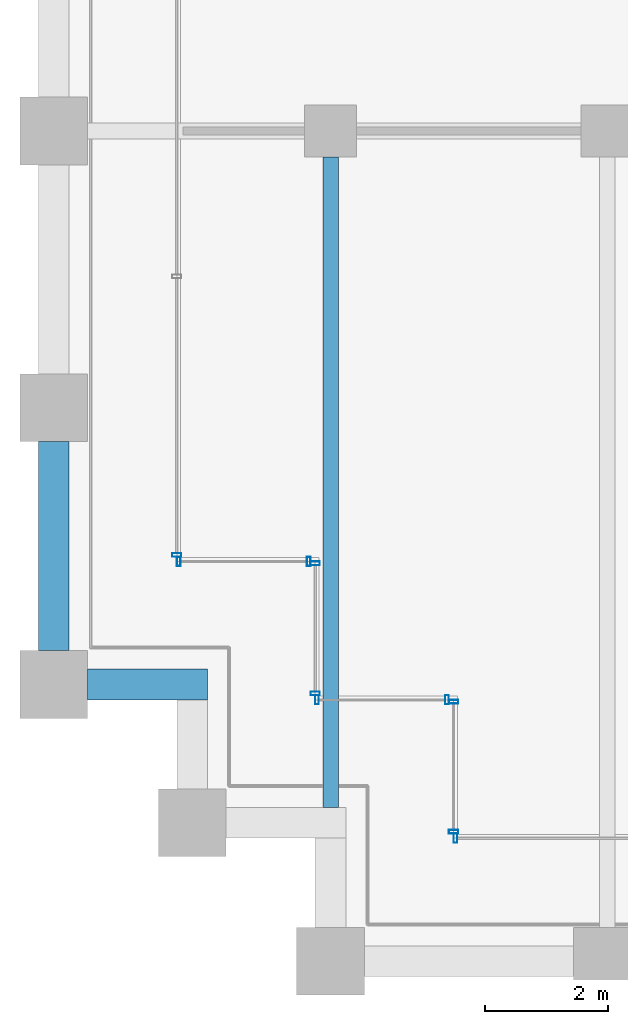
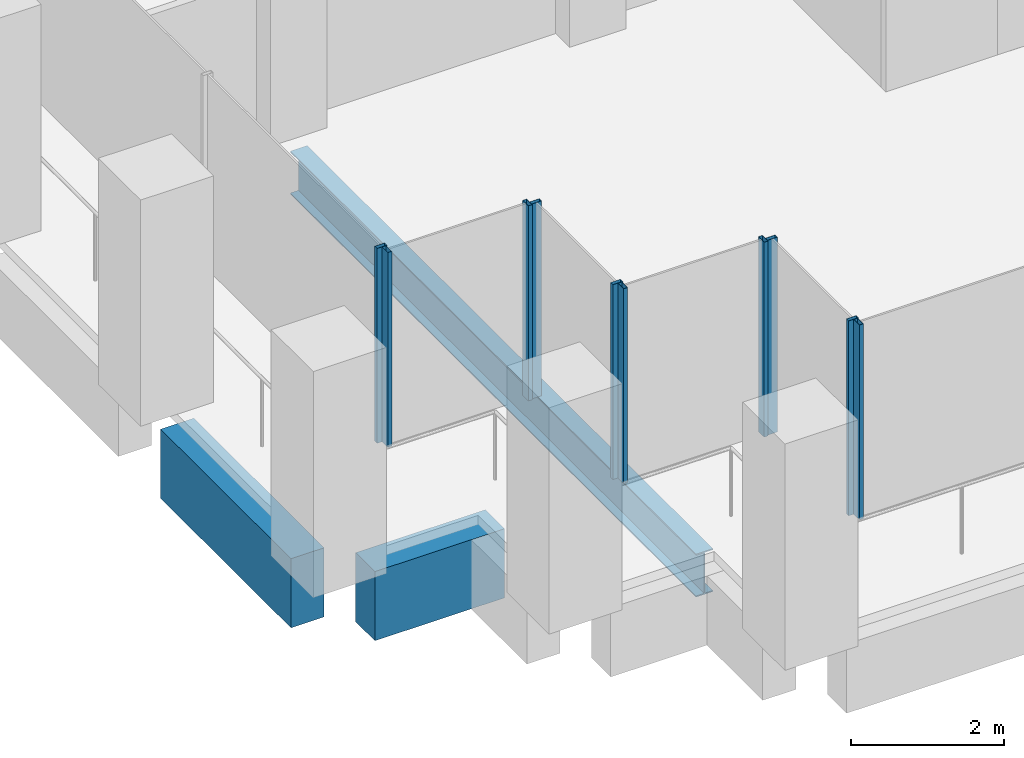
# One storey, part 2 of 56: 10 members, 3 beams, 6 elements without a shape of their own.
"""IFC4 building model written with IfcOpenShell, lengths in metres."""

from ifc_helpers import new_model, si_unit, direction, frame, origin, origin_2d, place, context, subcontext, project, spatial, rectangle, hollow_rectangle, i_section, extrude, material, material_profile, profile_set, type_object, element, aggregate, save


model = new_model("IFC4")

# Units and contexts
model_context = context("Model", 3, precision=1e-05, world=origin(), true_north=direction((0.0, 1.0)))
body_context = subcontext(model_context, "Body", "Model", "MODEL_VIEW")
ifc_project = project(units=[si_unit("LENGTHUNIT", "METRE"), si_unit("AREAUNIT", "SQUARE_METRE"), si_unit("VOLUMEUNIT", "CUBIC_METRE"), si_unit("PLANEANGLEUNIT", "RADIAN"), si_unit("MASSUNIT", "GRAM", prefix="KILO")], contexts=[model_context])

# Site, building, storey
site_placement = place(None, origin())
site = spatial("IfcSite", under=ifc_project, at=site_placement, CompositionType="ELEMENT")
building_placement = place(site_placement, origin())
building = spatial("IfcBuilding", under=site, at=building_placement, Name="Altepetl Exchange Towers", CompositionType="ELEMENT")
storey_placement = place(building_placement, frame((0.0, 0.0, 83.39990234375)))
storey = spatial("IfcBuildingStorey", under=building, at=storey_placement, Name="L20", CompositionType="ELEMENT", Elevation=83.39990234375)

# Beam
ifc_material_1 = material(Name="Steel S355", Category="steel")
ifc_material_profile_1 = material_profile(ifc_material_1, i_section(OverallWidth=0.25390625, OverallDepth=0.68408203125, WebThickness=0.012451171875, FlangeThickness=0.018798828125, at=origin_2d()), Name="W27X94")
ifc_profile_set_1 = profile_set([ifc_material_profile_1], Name="Steel S355")
beam_type_1 = type_object("IfcBeamType", Name="Floor beam W27X94", PredefinedType="BEAM", material=ifc_profile_set_1)
beam_1_placement = place(storey_placement, frame((31.5, 29.5, -0.491943359375), z_axis=(0.0, 1.0, 0.0), x_axis=(-1.0, 0.0, 0.0)))
element("IfcBeam", 1, at=beam_1_placement, inside=storey, type_object=beam_type_1, Name="bm:A:L20:012", PredefinedType="BEAM", context=body_context, shape_type="SweptSolid", body=[
    extrude(i_section(OverallWidth=0.25390625, OverallDepth=0.68408203125, WebThickness=0.012451171875, FlangeThickness=0.018798828125, at=origin_2d()), origin(), (0.0, 0.0, 1.0), 10.574951171875),
])

# Curtain wall, member
ifc_material_2 = material(Name="Aluminium 6063-T6 glazing", Category="aluminium")
curtain_wall_type = type_object("IfcCurtainWallType", Name="Loggia glazing system", PredefinedType="NOTDEFINED", material=ifc_material_2)
curtain_wall_1_placement = place(storey_placement, origin())
curtain_wall_1 = element("IfcCurtainWall", 2, at=curtain_wall_1_placement, inside=storey, type_object=curtain_wall_type, Name="CW1 run", PredefinedType="NOTDEFINED")
ifc_material_3 = material(Name="Aluminium 6063-T6", Category="aluminium")
ifc_material_profile_2 = material_profile(ifc_material_3, hollow_rectangle(XDim=0.06005859375, YDim=0.14990234375, WallThickness=0.0029296875, at=origin_2d()), Name="Mullion 60x150 aluminium")
ifc_profile_set_2 = profile_set([ifc_material_profile_2], Name="Aluminium 6063-T6")
member_type = type_object("IfcMemberType", Name="Mullion 60x150 aluminium", PredefinedType="MULLION", material=ifc_profile_set_2)
member_1_placement = place(storey_placement, frame((29.0, 33.60498046875, 0.0), z_axis=(0.0, 0.0, 1.0), x_axis=(0.0, -1.0, 0.0)))
member_1 = element("IfcMember", 3, at=member_1_placement, type_object=member_type, Name="MU1 mullion", PredefinedType="MULLION", context=body_context, shape_type="SweptSolid", body=[
    extrude(hollow_rectangle(XDim=0.06005859375, YDim=0.14990234375, WallThickness=0.0029296875, at=origin_2d()), origin(), (0.0, 0.0, 1.0), 3.10009765625),
])
aggregate(curtain_wall_1, [member_1])

# Curtain wall, members
curtain_wall_2_placement = place(storey_placement, origin())
curtain_wall_2 = element("IfcCurtainWall", 4, at=curtain_wall_2_placement, inside=storey, type_object=curtain_wall_type, Name="CW1 run", PredefinedType="NOTDEFINED")
member_2_placement = place(storey_placement, frame((29.030029296875, 33.5, 0.0)))
member_2 = element("IfcMember", 5, at=member_2_placement, type_object=member_type, Name="MU1 mullion", PredefinedType="MULLION", context=body_context, shape_type="SweptSolid", body=[
    extrude(hollow_rectangle(XDim=0.06005859375, YDim=0.14990234375, WallThickness=0.0029296875, at=origin_2d()), origin(), (0.0, 0.0, 1.0), 3.10009765625),
])
member_3_placement = place(storey_placement, frame((31.14501953125, 33.5, 0.0)))
member_3 = element("IfcMember", 6, at=member_3_placement, type_object=member_type, Name="MU1 mullion", PredefinedType="MULLION", context=body_context, shape_type="SweptSolid", body=[
    extrude(hollow_rectangle(XDim=0.06005859375, YDim=0.14990234375, WallThickness=0.0029296875, at=origin_2d()), origin(), (0.0, 0.0, 1.0), 3.10009765625),
])
aggregate(curtain_wall_2, [member_2, member_3])

curtain_wall_3_placement = place(storey_placement, origin())
curtain_wall_3 = element("IfcCurtainWall", 7, at=curtain_wall_3_placement, inside=storey, type_object=curtain_wall_type, Name="CW1 run", PredefinedType="NOTDEFINED")
member_4_placement = place(storey_placement, frame((31.25, 33.469970703125, 0.0), z_axis=(0.0, 0.0, 1.0), x_axis=(0.0, -1.0, 0.0)))
member_4 = element("IfcMember", 8, at=member_4_placement, type_object=member_type, Name="MU1 mullion", PredefinedType="MULLION", context=body_context, shape_type="SweptSolid", body=[
    extrude(hollow_rectangle(XDim=0.06005859375, YDim=0.14990234375, WallThickness=0.0029296875, at=origin_2d()), origin(), (0.0, 0.0, 1.0), 3.10009765625),
])
member_5_placement = place(storey_placement, frame((31.25, 31.35498046875, 0.0), z_axis=(0.0, 0.0, 1.0), x_axis=(0.0, -1.0, 0.0)))
member_5 = element("IfcMember", 9, at=member_5_placement, type_object=member_type, Name="MU1 mullion", PredefinedType="MULLION", context=body_context, shape_type="SweptSolid", body=[
    extrude(hollow_rectangle(XDim=0.06005859375, YDim=0.14990234375, WallThickness=0.0029296875, at=origin_2d()), origin(), (0.0, 0.0, 1.0), 3.10009765625),
])
aggregate(curtain_wall_3, [member_4, member_5])

curtain_wall_4_placement = place(storey_placement, origin())
curtain_wall_4 = element("IfcCurtainWall", 10, at=curtain_wall_4_placement, inside=storey, type_object=curtain_wall_type, Name="CW1 run", PredefinedType="NOTDEFINED")
member_6_placement = place(storey_placement, frame((31.280029296875, 31.25, 0.0)))
member_6 = element("IfcMember", 11, at=member_6_placement, type_object=member_type, Name="MU1 mullion", PredefinedType="MULLION", context=body_context, shape_type="SweptSolid", body=[
    extrude(hollow_rectangle(XDim=0.06005859375, YDim=0.14990234375, WallThickness=0.0029296875, at=origin_2d()), origin(), (0.0, 0.0, 1.0), 3.10009765625),
])
member_7_placement = place(storey_placement, frame((33.39501953125, 31.25, 0.0)))
member_7 = element("IfcMember", 12, at=member_7_placement, type_object=member_type, Name="MU1 mullion", PredefinedType="MULLION", context=body_context, shape_type="SweptSolid", body=[
    extrude(hollow_rectangle(XDim=0.06005859375, YDim=0.14990234375, WallThickness=0.0029296875, at=origin_2d()), origin(), (0.0, 0.0, 1.0), 3.10009765625),
])
aggregate(curtain_wall_4, [member_6, member_7])

curtain_wall_5_placement = place(storey_placement, origin())
curtain_wall_5 = element("IfcCurtainWall", 13, at=curtain_wall_5_placement, inside=storey, type_object=curtain_wall_type, Name="CW1 run", PredefinedType="NOTDEFINED")
member_8_placement = place(storey_placement, frame((33.5, 31.219970703125, 0.0), z_axis=(0.0, 0.0, 1.0), x_axis=(0.0, -1.0, 0.0)))
member_8 = element("IfcMember", 14, at=member_8_placement, type_object=member_type, Name="MU1 mullion", PredefinedType="MULLION", context=body_context, shape_type="SweptSolid", body=[
    extrude(hollow_rectangle(XDim=0.06005859375, YDim=0.14990234375, WallThickness=0.0029296875, at=origin_2d()), origin(), (0.0, 0.0, 1.0), 3.10009765625),
])
member_9_placement = place(storey_placement, frame((33.5, 29.10498046875, 0.0), z_axis=(0.0, 0.0, 1.0), x_axis=(0.0, -1.0, 0.0)))
member_9 = element("IfcMember", 15, at=member_9_placement, type_object=member_type, Name="MU1 mullion", PredefinedType="MULLION", context=body_context, shape_type="SweptSolid", body=[
    extrude(hollow_rectangle(XDim=0.06005859375, YDim=0.14990234375, WallThickness=0.0029296875, at=origin_2d()), origin(), (0.0, 0.0, 1.0), 3.10009765625),
])
aggregate(curtain_wall_5, [member_8, member_9])

# Curtain wall, member
curtain_wall_6_placement = place(storey_placement, origin())
curtain_wall_6 = element("IfcCurtainWall", 16, at=curtain_wall_6_placement, inside=storey, type_object=curtain_wall_type, Name="CW1 run", PredefinedType="NOTDEFINED")
member_10_placement = place(storey_placement, frame((33.530029296875, 29.0, 0.0)))
member_10 = element("IfcMember", 17, at=member_10_placement, type_object=member_type, Name="MU1 mullion", PredefinedType="MULLION", context=body_context, shape_type="SweptSolid", body=[
    extrude(hollow_rectangle(XDim=0.06005859375, YDim=0.14990234375, WallThickness=0.0029296875, at=origin_2d()), origin(), (0.0, 0.0, 1.0), 3.10009765625),
])
aggregate(curtain_wall_6, [member_10])

# Beams
ifc_material_4 = material(Name="Concrete C50/60 precast with cantera blanca facing", Category="concrete")
ifc_material_profile_3 = material_profile(ifc_material_4, rectangle(XDim=0.5, YDim=1.10009765625, at=origin_2d()), Name="500 x 1100")
ifc_profile_set_3 = profile_set([ifc_material_profile_3], Name="Concrete C50/60 precast with cantera blanca facing")
beam_type_2 = type_object("IfcBeamType", Name="Spandrel beam 500x1100 cantera blanca", PredefinedType="SPANDREL", material=ifc_profile_set_3)
beam_2_placement = place(storey_placement, frame((27.0, 35.449951171875, -0.699951171875), z_axis=(0.0, -1.0, 0.0), x_axis=(1.0, 0.0, 0.0)))
element("IfcBeam", 18, at=beam_2_placement, inside=storey, type_object=beam_type_2, Name="sp:A:L20:043", PredefinedType="SPANDREL", context=body_context, shape_type="SweptSolid", body=[
    extrude(rectangle(XDim=0.5, YDim=1.10009765625, at=origin_2d()), origin(), (0.0, 0.0, 1.0), 3.39990234375),
])
beam_3_placement = place(storey_placement, frame((27.550048828125, 31.5, -0.699951171875), z_axis=(1.0, 0.0, 0.0), x_axis=(0.0, 1.0, 0.0)))
element("IfcBeam", 19, at=beam_3_placement, inside=storey, type_object=beam_type_2, Name="sp:A:L20:044", PredefinedType="SPANDREL", context=body_context, shape_type="SweptSolid", body=[
    extrude(rectangle(XDim=0.5, YDim=1.10009765625, at=origin_2d()), origin(), (0.0, 0.0, 1.0), 1.949951171875),
])

save(model, "model.ifc")
